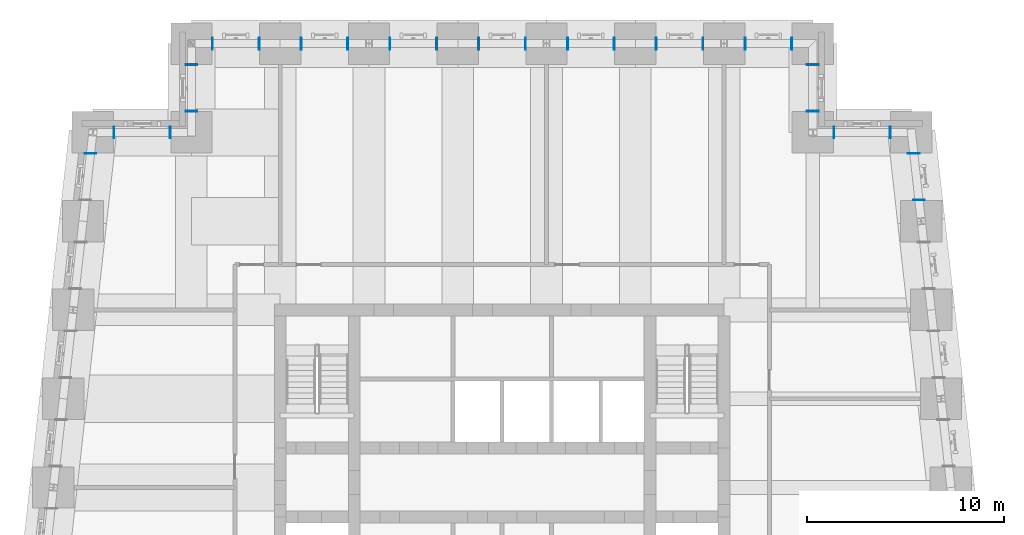
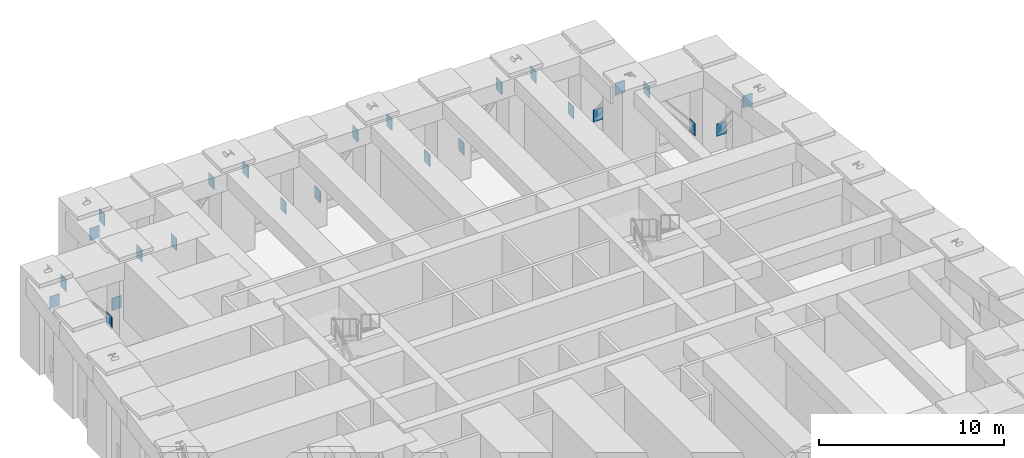
# One storey, part 8 of 17: 25 discrete accessories.
"""IFC4 building model written with IfcOpenShell, lengths in metres."""

import ifcopenshell
import ifcopenshell.guid

model = None  # the IFC model being written
_history = None  # IfcOwnerHistory: only IFC2X3 demands one
_inside = {}  # id of a spatial element -> (the spatial element, [elements in it])
_under = {}  # id of a project, library or spatial element -> (it, [spatial elements below it])
_declared = {}  # id of a project -> (the project, [libraries it declares])
_typed = {}  # id of a type object -> (the type object, [elements of that type])
_made_of = {}  # id of a material, layer set ... -> (it, [elements and type objects made of it])


def new_model(schema):
    """Start an empty IFC model of exactly this schema.

    Asked for "IFC4X3", IfcOpenShell would pick the latest addendum, in which some entities
    have other attributes; the version numbers below select the first issue.
    IFC2X3 requires an IfcOwnerHistory on every rooted entity: one is made here for all.
    """
    global model, _history
    if schema == "IFC4X3":
        model = ifcopenshell.file(schema_version=(4, 3, 0, 0))
    else:
        model = ifcopenshell.file(schema=schema)
    _inside.clear()
    _under.clear()
    _declared.clear()
    _typed.clear()
    _made_of.clear()
    _history = None
    if model.schema == "IFC2X3":
        org = make("IfcOrganization", Name="unknown")
        user = make(
            "IfcPersonAndOrganization",
            ThePerson=make("IfcPerson", FamilyName="unknown"),
            TheOrganization=org,
        )
        app = make(
            "IfcApplication",
            ApplicationDeveloper=org,
            Version="unknown",
            ApplicationFullName="unknown",
            ApplicationIdentifier="unknown",
        )
        _history = make(
            "IfcOwnerHistory",
            OwningUser=user,
            OwningApplication=app,
            ChangeAction="ADDED",
            CreationDate=0,
        )
    return model


def make(cls, **values):
    """One entity of the class cls with the attributes given. An attribute that is None is left unset."""
    return model.create_entity(
        cls, **{name: value for name, value in values.items() if value is not None}
    )


def rooted(cls, **values):
    """An entity with a GlobalId (a new one), such as an element, a storey or a relation."""
    return make(cls, GlobalId=ifcopenshell.guid.new(), OwnerHistory=_history, **values)


def si_unit(unit_type, name, prefix=None):
    """IfcSIUnit, for example si_unit("LENGTHUNIT", "METRE", prefix="MILLI")."""
    return make("IfcSIUnit", UnitType=unit_type, Prefix=prefix, Name=name)


def assignment(units):
    """IfcUnitAssignment: the units of a project."""
    return None if units is None else make("IfcUnitAssignment", Units=units)


def point(xyz):
    """IfcCartesianPoint."""
    return None if xyz is None else make("IfcCartesianPoint", Coordinates=xyz)


def direction(xyz):
    """IfcDirection."""
    return None if xyz is None else make("IfcDirection", DirectionRatios=xyz)


def frame(location, z_axis=None, x_axis=None):
    """IfcAxis2Placement3D, a coordinate frame: its origin and axes. An axis left out is left unset."""
    return make(
        "IfcAxis2Placement3D",
        Location=point(location),
        Axis=direction(z_axis),
        RefDirection=direction(x_axis),
    )


def origin():
    """The frame at (0, 0, 0) with its axes left unset."""
    return frame((0.0, 0.0, 0.0))


def place(relative_to, where):
    """IfcLocalPlacement: puts the frame where relative to a parent placement (None: the world)."""
    return make(
        "IfcLocalPlacement", PlacementRelTo=relative_to, RelativePlacement=where
    )


def context(
    kind, dimensions, precision=None, world=None, true_north=None, identifier=None
):
    """IfcGeometricRepresentationContext, for example the 3D "Model" context."""
    return make(
        "IfcGeometricRepresentationContext",
        ContextIdentifier=identifier,
        ContextType=kind,
        CoordinateSpaceDimension=dimensions,
        Precision=precision,
        WorldCoordinateSystem=world,
        TrueNorth=true_north,
    )


def subcontext(parent, identifier, kind, view, scale=None):
    """IfcGeometricRepresentationSubContext, for example "Body" below "Model"."""
    return make(
        "IfcGeometricRepresentationSubContext",
        ContextIdentifier=identifier,
        ContextType=kind,
        ParentContext=parent,
        TargetScale=scale,
        TargetView=view,
    )


def project(units=None, contexts=None):
    """IfcProject with its units and contexts."""
    return rooted(
        "IfcProject",
        Name="project",
        RepresentationContexts=contexts,
        UnitsInContext=assignment(units),
    )


def spatial(cls, under=None, at=None, **own):
    """A site, building, storey or space (cls), placed at a placement, below another one or the project."""
    s = rooted(cls, ObjectPlacement=at, **own)
    if under is not None:
        _under.setdefault(under.id(), (under, []))[1].append(s)
    return s


def polyline(points):
    """IfcPolyline through the points."""
    return make("IfcPolyline", Points=[point(p) for p in points])


def outline(outer, holes=None, kind="AREA"):
    """IfcArbitraryClosedProfileDef: a profile drawn as a closed curve; with holes, ...WithVoids."""
    if holes is None:
        return make("IfcArbitraryClosedProfileDef", ProfileType=kind, OuterCurve=outer)
    return make(
        "IfcArbitraryProfileDefWithVoids",
        ProfileType=kind,
        OuterCurve=outer,
        InnerCurves=holes,
    )


def extrude(swept, where, along, depth):
    """IfcExtrudedAreaSolid: the profile swept, set in the frame where, extruded along a direction by depth."""
    return make(
        "IfcExtrudedAreaSolid",
        SweptArea=swept,
        Position=where,
        ExtrudedDirection=direction(along),
        Depth=depth,
    )


def shape(context_of_items, identifier, shape_type, items):
    """IfcShapeRepresentation: the items that make up one representation, for example the "Body"."""
    return make(
        "IfcShapeRepresentation",
        ContextOfItems=context_of_items,
        RepresentationIdentifier=identifier,
        RepresentationType=shape_type,
        Items=items,
    )


def source(mapping_origin, context_of_items, identifier, shape_type, items):
    """IfcRepresentationMap: a shape defined once, which mapped items show again and again."""
    return make(
        "IfcRepresentationMap",
        MappingOrigin=mapping_origin,
        MappedRepresentation=shape(context_of_items, identifier, shape_type, items),
    )


def transform(
    local_origin,
    x_axis=None,
    y_axis=None,
    z_axis=None,
    scale=None,
    scale2=None,
    scale3=None,
    uniform=True,
):
    """IfcCartesianTransformationOperator3D, or its non-uniform kind. x_axis, y_axis, z_axis: its Axis1, 2, 3."""
    if uniform:
        return make(
            "IfcCartesianTransformationOperator3D",
            Axis1=direction(x_axis),
            Axis2=direction(y_axis),
            LocalOrigin=point(local_origin),
            Scale=scale,
            Axis3=direction(z_axis),
        )
    return make(
        "IfcCartesianTransformationOperator3DnonUniform",
        Axis1=direction(x_axis),
        Axis2=direction(y_axis),
        LocalOrigin=point(local_origin),
        Scale=scale,
        Axis3=direction(z_axis),
        Scale2=scale2,
        Scale3=scale3,
    )


def mapped(mapping_source, mapping_target):
    """IfcMappedItem: shows the shape of a source again, moved by a transform."""
    return make(
        "IfcMappedItem", MappingSource=mapping_source, MappingTarget=mapping_target
    )


def material(Name=None, Category=None):
    """IfcMaterial."""
    return make("IfcMaterial", Name=Name, Category=Category)


def layer(
    of_material, thickness, ventilated=None, Name=None, Category=None, Priority=None
):
    """IfcMaterialLayer: one layer of a wall or slab, of a material (None: an air gap)."""
    return make(
        "IfcMaterialLayer",
        Material=of_material,
        LayerThickness=thickness,
        IsVentilated=ventilated,
        Name=Name,
        Category=Category,
        Priority=Priority,
    )


def layer_set(layers, Name=None):
    """IfcMaterialLayerSet."""
    return make("IfcMaterialLayerSet", MaterialLayers=layers, LayerSetName=Name)


def made_of(thing, what):
    """Note that an element or type object is made of a material, layer set ...; save() writes the relation."""
    if what is not None:
        _made_of.setdefault(what.id(), (what, []))[1].append(thing)
    return thing


def type_object(cls, material=None, **own):
    """A type object (cls), such as IfcWallType, which elements share."""
    return made_of(rooted(cls, **own), material)


def element(
    cls,
    number,
    at=None,
    inside=None,
    cuts=None,
    type_object=None,
    material=None,
    context=None,
    identifier="Body",
    shape_type=None,
    held_by="IfcProductDefinitionShape",
    body=None,
    shapes=None,
    **own,
):
    """One element of the class cls, such as IfcWall. Its Tag is "e" and its number.

    at: its placement. inside: the storey or other place that contains it. cuts: it is an
    opening in that element (IfcRelVoidsElement). A single representation is given by context,
    identifier, shape_type and body (its items); several are given by shapes. held_by: the class
    of the entity that holds the representations. save() writes the other relations.
    """
    e = rooted(cls, Tag="e%d" % number, ObjectPlacement=at, **own)
    if body is not None:
        shapes = [shape(context, identifier, shape_type, body)]
    if shapes is not None:
        e.Representation = make(held_by, Representations=shapes)
    if inside is not None:
        _inside.setdefault(inside.id(), (inside, []))[1].append(e)
    if cuts is not None:
        rooted(
            "IfcRelVoidsElement", RelatingBuildingElement=cuts, RelatedOpeningElement=e
        )
    if type_object is not None:
        _typed.setdefault(type_object.id(), (type_object, []))[1].append(e)
    return made_of(e, material)


def aggregate(whole, parts):
    """IfcRelAggregates: a whole, such as a stair, and the parts it consists of."""
    return rooted("IfcRelAggregates", RelatingObject=whole, RelatedObjects=parts)


def save(model, path):
    """Write the relations noted so far, then the file.

    IfcRelAggregates (storeys below a building ...), IfcRelContainedInSpatialStructure (elements
    in a storey), IfcRelDefinesByType, IfcRelAssociatesMaterial and IfcRelDeclares: one each for
    every whole, place, type object, material and project.
    """
    for whole, parts in _under.values():
        aggregate(whole, parts)
    for where, things in _inside.values():
        rooted(
            "IfcRelContainedInSpatialStructure",
            RelatedElements=things,
            RelatingStructure=where,
        )
    for kind, things in _typed.values():
        rooted("IfcRelDefinesByType", RelatedObjects=things, RelatingType=kind)
    for what, things in _made_of.values():
        rooted("IfcRelAssociatesMaterial", RelatedObjects=things, RelatingMaterial=what)
    for by, libraries in _declared.values():
        rooted("IfcRelDeclares", RelatingContext=by, RelatedDefinitions=libraries)
    model.write(path)


model = new_model("IFC4")

# Units and contexts
model_context = context("Model", 3, precision=1e-05, world=origin(), true_north=direction((0.0, 1.0)))
body_context = subcontext(model_context, "Body", "Model", "MODEL_VIEW")
ifc_project = project(units=[si_unit("LENGTHUNIT", "METRE"), si_unit("AREAUNIT", "SQUARE_METRE"), si_unit("VOLUMEUNIT", "CUBIC_METRE"), si_unit("PLANEANGLEUNIT", "RADIAN"), si_unit("MASSUNIT", "GRAM", prefix="KILO")], contexts=[model_context])

# Site, building, storey
site_placement = place(None, origin())
site = spatial("IfcSite", under=ifc_project, at=site_placement, CompositionType="ELEMENT")
building_placement = place(site_placement, origin())
building = spatial("IfcBuilding", under=site, at=building_placement, Name="Kilele Tower Hotel", CompositionType="ELEMENT")
storey_placement = place(building_placement, frame((0.0, 0.0, 211.39990234375)))
storey = spatial("IfcBuildingStorey", under=building, at=storey_placement, Name="L55", CompositionType="ELEMENT", Elevation=211.39990234375)

# Discrete accessories
ifc_material = material(Name="Steel S355", Category="steel")
ifc_layer = layer(ifc_material, 0.0400390625)
ifc_layer_set = layer_set([ifc_layer], Name="Steel S355")
discrete_accessory_type = type_object("IfcDiscreteAccessoryType", Name="Cast-in anchor plate 800x600x40", PredefinedType="ANCHORPLATE", material=ifc_layer_set)
shared_shape = source(origin(), body_context, "Body", "SweptSolid", [
    extrude(outline(polyline([(0.0, 0.0), (0.0400390625, 0.0), (0.0400390625, 0.800048828125), (0.0, 0.800048828125), (0.0, 0.0)])), origin(), (0.0, 0.0, 1.0), 0.60009765625),
])
for number, where, z_axis, x_axis, name in (
    (1, (45.583251953125, 32.550048828125, 4.2001953125), (1.0, 0.0, 0.0), (0.0, 1.0, 0.0), "Cast-in anchor plate L55"),
    (2, (45.916748046875, 34.949951171875, 1.0), (-1.0, 0.0, 0.0), (0.0, -1.0, 0.0), "Cast-in anchor plate L55"),
    (3, (44.449951171875, 35.699951171875, 0.860107421875), (0.0, 1.0, 0.0), (-1.0, 0.0, 0.0), "Cast-in anchor plate L55"),
    (4, (41.550048828125, 36.300048828125, 4.340087890625), (0.0, -1.0, 0.0), (1.0, 0.0, 0.0), "Cast-in anchor plate L55"),
    (5, (40.199951171875, 37.050048828125, 4.2001953125), (1.0, 0.0, 0.0), (0.0, 1.0, 0.0), "Cast-in anchor plate L55"),
    (6, (40.800048828125, 39.449951171875, 1.0), (-1.0, 0.0, 0.0), (0.0, -1.0, 0.0), "Cast-in anchor plate L55"),
    (7, (39.449951171875, 40.199951171875, 1.0), (0.0, 1.0, 0.0), (-1.0, 0.0, 0.0), "Cast-in anchor plate L55"),
    (8, (37.050048828125, 40.800048828125, 4.2001953125), (0.0, -1.0, 0.0), (1.0, 0.0, 0.0), "Cast-in anchor plate L55"),
    (9, (34.949951171875, 40.199951171875, 4.2001953125), (0.0, 1.0, 0.0), (-1.0, 0.0, 0.0), "Cast-in anchor plate L55"),
    (10, (32.550048828125, 40.800048828125, 1.0), (0.0, -1.0, 0.0), (1.0, 0.0, 0.0), "Cast-in anchor plate L55"),
    (11, (30.449951171875, 40.199951171875, 1.0), (0.0, 1.0, 0.0), (-1.0, 0.0, 0.0), "Cast-in anchor plate L55"),
    (12, (28.050048828125, 40.800048828125, 4.2001953125), (0.0, -1.0, 0.0), (1.0, 0.0, 0.0), "Cast-in anchor plate L55"),
    (13, (25.949951171875, 40.199951171875, 4.2001953125), (0.0, 1.0, 0.0), (-1.0, 0.0, 0.0), "Cast-in anchor plate L55"),
    (14, (23.550048828125, 40.800048828125, 1.0), (0.0, -1.0, 0.0), (1.0, 0.0, 0.0), "Cast-in anchor plate L55"),
    (15, (21.449951171875, 40.199951171875, 1.0), (0.0, 1.0, 0.0), (-1.0, 0.0, 0.0), "Cast-in anchor plate L55"),
    (16, (19.050048828125, 40.800048828125, 4.2001953125), (0.0, -1.0, 0.0), (1.0, 0.0, 0.0), "Cast-in anchor plate L55"),
    (17, (16.949951171875, 40.199951171875, 4.2001953125), (0.0, 1.0, 0.0), (-1.0, 0.0, 0.0), "Cast-in anchor plate L55"),
    (18, (14.550048828125, 40.800048828125, 1.0), (0.0, -1.0, 0.0), (1.0, 0.0, 0.0), "Cast-in anchor plate L55"),
    (19, (12.449951171875, 40.199951171875, 1.0), (0.0, 1.0, 0.0), (-1.0, 0.0, 0.0), "Cast-in anchor plate L55"),
    (20, (10.050048828125, 40.800048828125, 4.2001953125), (0.0, -1.0, 0.0), (1.0, 0.0, 0.0), "Cast-in anchor plate L55"),
    (21, (9.300048828125, 39.449951171875, 4.2001953125), (-1.0, 0.0, 0.0), (0.0, -1.0, 0.0), "Cast-in anchor plate L55"),
    (22, (8.699951171875, 37.050048828125, 1.0), (1.0, 0.0, 0.0), (0.0, 1.0, 0.0), "Cast-in anchor plate L55"),
    (23, (7.949951171875, 35.699951171875, 0.860107421875), (0.0, 1.0, 0.0), (-1.0, 0.0, 0.0), "Cast-in anchor plate L55"),
    (24, (5.050048828125, 36.300048828125, 4.340087890625), (0.0, -1.0, 0.0), (1.0, 0.0, 0.0), "Cast-in anchor plate L55"),
    (25, (4.183349609375, 34.949951171875, 4.2001953125), (-1.0, 0.0, 0.0), (0.0, -1.0, 0.0), "Cast-in anchor plate L55"),
):
    element("IfcDiscreteAccessory", number, at=place(storey_placement, frame(where, z_axis=z_axis, x_axis=x_axis)), inside=storey, type_object=discrete_accessory_type, Name=name, PredefinedType="ANCHORPLATE", context=body_context, shape_type="MappedRepresentation", body=[
        mapped(shared_shape, transform((0.0, 0.0, 0.0))),
    ])

save(model, "model.ifc")
